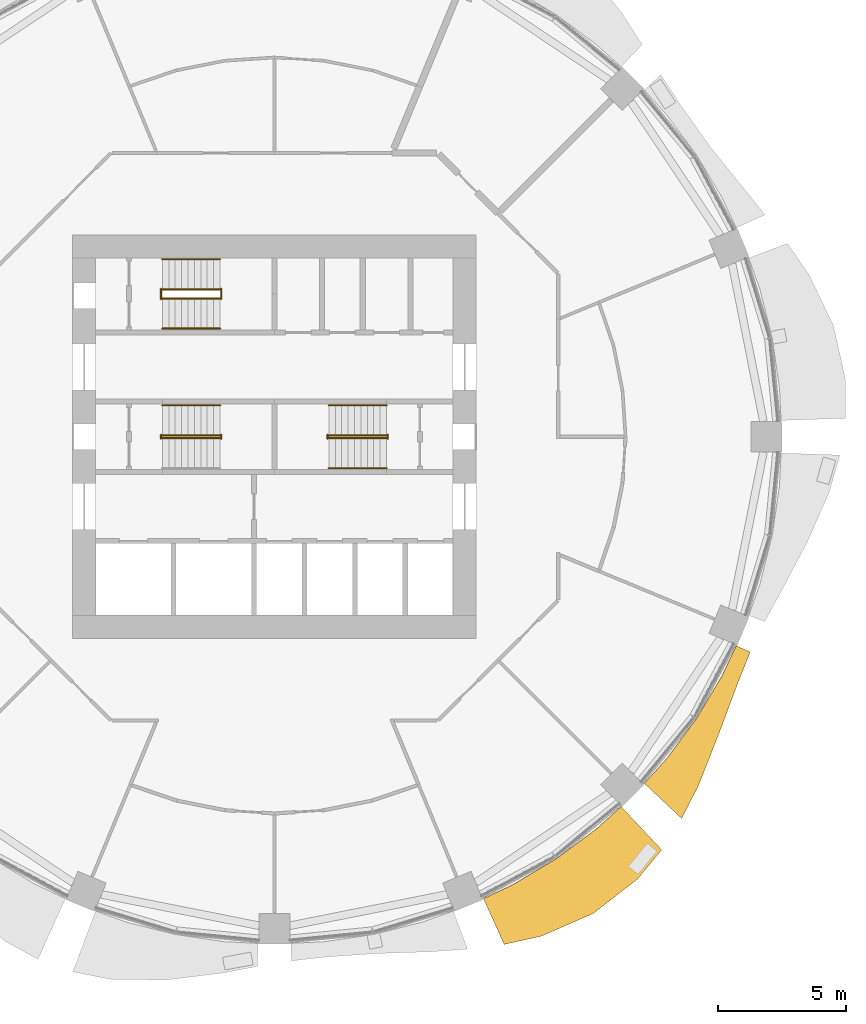
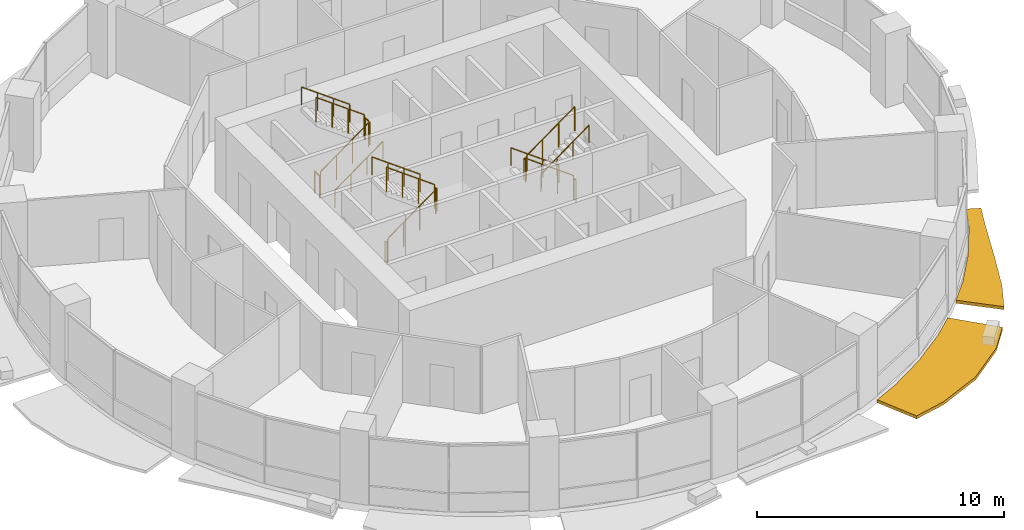
# One storey, part 13 of 15: 17 railings, 2 shading devices.
"""IFC4 building model written with IfcOpenShell, lengths in metres."""

from ifc_helpers import new_model, si_unit, direction, frame, origin, origin_2d, place, context, subcontext, project, spatial, polyline, circle, outline, extrude, material, type_object, element, save


model = new_model("IFC4")

# Units and contexts
model_context = context("Model", 3, precision=1e-05, world=origin(), true_north=direction((0.0, 1.0)))
body_context = subcontext(model_context, "Body", "Model", "MODEL_VIEW")
ifc_project = project(units=[si_unit("LENGTHUNIT", "METRE"), si_unit("AREAUNIT", "SQUARE_METRE"), si_unit("VOLUMEUNIT", "CUBIC_METRE"), si_unit("PLANEANGLEUNIT", "RADIAN"), si_unit("MASSUNIT", "GRAM", prefix="KILO")], contexts=[model_context])

# Site, building, storey
site_placement = place(None, origin())
site = spatial("IfcSite", under=ifc_project, at=site_placement, CompositionType="ELEMENT")
building_placement = place(site_placement, origin())
building = spatial("IfcBuilding", under=site, at=building_placement, Name="Polderwave Tower", CompositionType="ELEMENT")
storey_placement = place(building_placement, frame((0.0, 0.0, 29.85009765625)))
storey = spatial("IfcBuildingStorey", under=building, at=storey_placement, Name="L07", CompositionType="ELEMENT", Elevation=29.85009765625)

# Railings
ifc_material_1 = material(Name="Stainless steel", Category="steel")
railing_type_1 = type_object("IfcRailingType", Name="Stair guard 1100", PredefinedType="GUARDRAIL", material=ifc_material_1)
railing_1_placement = place(storey_placement, frame((-4.3740234375, -0.051025390625, 0.062255859375)))
element("IfcRailing", 1, at=railing_1_placement, inside=storey, type_object=railing_type_1, Name="L07 ST-A stair guard 1", PredefinedType="GUARDRAIL", context=body_context, shape_type="SweptSolid", body=[
    extrude(circle(Radius=0.02392578125, at=origin_2d()), frame((0.0, 0.0, 1.1962890625), z_axis=(0.807673635365, 0.0, 0.58962979804), x_axis=(0.0, 1.0, 0.0)), (0.0, 0.0, 1.0), 2.785888671875),
    extrude(circle(Radius=0.02392578125, at=origin_2d()), origin(), (0.0, 0.0, 1.0), 1.172119140625),
    extrude(circle(Radius=0.02392578125, at=origin_2d()), frame((0.75, 0.0, 0.547607421875)), (0.0, 0.0, 1.0), 1.172119140625),
    extrude(circle(Radius=0.02392578125, at=origin_2d()), frame((1.5, 0.0, 1.094970703125)), (0.0, 0.0, 1.0), 1.172119140625),
    extrude(circle(Radius=0.02392578125, at=origin_2d()), frame((2.25, 0.0, 1.642578125)), (0.0, 0.0, 1.0), 1.172119140625),
])
railing_2_placement = place(storey_placement, frame((-2.073974609375, -0.074951171875, 1.824951171875)))
element("IfcRailing", 2, at=railing_2_placement, inside=storey, type_object=railing_type_1, Name="L07 ST-A stair guard 2", PredefinedType="GUARDRAIL", context=body_context, shape_type="SweptSolid", body=[
    extrude(circle(Radius=0.02392578125, at=origin_2d()), frame((0.0, 0.0, 1.076171875), z_axis=(0.0, 1.0, 0.0), x_axis=(-1.0, 0.0, 0.0)), (0.0, 0.0, 1.0), 0.14990234375),
    extrude(circle(Radius=0.02099609375, at=origin_2d()), origin(), (0.0, 0.0, 1.0), 1.052001953125),
    extrude(circle(Radius=0.02099609375, at=origin_2d()), frame((0.0, 0.14990234375, 0.0)), (0.0, 0.0, 1.0), 1.052001953125),
])
railing_3_placement = place(storey_placement, frame((-2.1240234375, 0.051025390625, 1.88720703125)))
element("IfcRailing", 3, at=railing_3_placement, inside=storey, type_object=railing_type_1, Name="L07 ST-A stair guard 3", PredefinedType="GUARDRAIL", context=body_context, shape_type="SweptSolid", body=[
    extrude(circle(Radius=0.02392578125, at=origin_2d()), frame((0.0, 0.0, 1.1962890625), z_axis=(-0.807673635365, 0.0, 0.58962979804), x_axis=(0.0, -1.0, 0.0)), (0.0, 0.0, 1.0), 2.785888671875),
    extrude(circle(Radius=0.02392578125, at=origin_2d()), origin(), (0.0, 0.0, 1.0), 1.172119140625),
    extrude(circle(Radius=0.02392578125, at=origin_2d()), frame((-0.75, 0.0, 0.547607421875)), (0.0, 0.0, 1.0), 1.172119140625),
    extrude(circle(Radius=0.02392578125, at=origin_2d()), frame((-1.5, 0.0, 1.094970703125)), (0.0, 0.0, 1.0), 1.172119140625),
    extrude(circle(Radius=0.02392578125, at=origin_2d()), frame((-2.25, 0.0, 1.642578125)), (0.0, 0.0, 1.0), 1.172119140625),
])
railing_4_placement = place(storey_placement, frame((-4.424072265625, -0.074951171875, 0.0)))
element("IfcRailing", 4, at=railing_4_placement, inside=storey, type_object=railing_type_1, Name="L07 ST-A stair guard 4", PredefinedType="GUARDRAIL", context=body_context, shape_type="SweptSolid", body=[
    extrude(circle(Radius=0.02392578125, at=origin_2d()), frame((0.0, 0.0, 1.076171875), z_axis=(0.0, 1.0, 0.0), x_axis=(-1.0, 0.0, 0.0)), (0.0, 0.0, 1.0), 0.14990234375),
    extrude(circle(Radius=0.02099609375, at=origin_2d()), origin(), (0.0, 0.0, 1.0), 1.052001953125),
    extrude(circle(Radius=0.02099609375, at=origin_2d()), frame((0.0, 0.14990234375, 0.0)), (0.0, 0.0, 1.0), 1.052001953125),
])
railing_5_placement = place(storey_placement, frame((4.3740234375, 0.051025390625, 0.062255859375)))
element("IfcRailing", 5, at=railing_5_placement, inside=storey, type_object=railing_type_1, Name="L07 ST-B stair guard 1", PredefinedType="GUARDRAIL", context=body_context, shape_type="SweptSolid", body=[
    extrude(circle(Radius=0.02392578125, at=origin_2d()), frame((0.0, 0.0, 1.1962890625), z_axis=(-0.807673635365, 0.0, 0.58962979804), x_axis=(0.0, -1.0, 0.0)), (0.0, 0.0, 1.0), 2.785888671875),
    extrude(circle(Radius=0.02392578125, at=origin_2d()), origin(), (0.0, 0.0, 1.0), 1.172119140625),
    extrude(circle(Radius=0.02392578125, at=origin_2d()), frame((-0.75, 0.0, 0.547607421875)), (0.0, 0.0, 1.0), 1.172119140625),
    extrude(circle(Radius=0.02392578125, at=origin_2d()), frame((-1.5, 0.0, 1.094970703125)), (0.0, 0.0, 1.0), 1.172119140625),
    extrude(circle(Radius=0.02392578125, at=origin_2d()), frame((-2.25, 0.0, 1.642578125)), (0.0, 0.0, 1.0), 1.172119140625),
])
railing_6_placement = place(storey_placement, frame((2.073974609375, 0.074951171875, 1.824951171875)))
element("IfcRailing", 6, at=railing_6_placement, inside=storey, type_object=railing_type_1, Name="L07 ST-B stair guard 2", PredefinedType="GUARDRAIL", context=body_context, shape_type="SweptSolid", body=[
    extrude(circle(Radius=0.02392578125, at=origin_2d()), frame((0.0, 0.0, 1.076171875), z_axis=(0.0, -1.0, 0.0), x_axis=(1.0, 0.0, 0.0)), (0.0, 0.0, 1.0), 0.14990234375),
    extrude(circle(Radius=0.02099609375, at=origin_2d()), origin(), (0.0, 0.0, 1.0), 1.052001953125),
    extrude(circle(Radius=0.02099609375, at=origin_2d()), frame((0.0, -0.14990234375, 0.0)), (0.0, 0.0, 1.0), 1.052001953125),
])
railing_7_placement = place(storey_placement, frame((2.1240234375, -0.051025390625, 1.88720703125)))
element("IfcRailing", 7, at=railing_7_placement, inside=storey, type_object=railing_type_1, Name="L07 ST-B stair guard 3", PredefinedType="GUARDRAIL", context=body_context, shape_type="SweptSolid", body=[
    extrude(circle(Radius=0.02392578125, at=origin_2d()), frame((0.0, 0.0, 1.1962890625), z_axis=(0.807673635365, 0.0, 0.58962979804), x_axis=(0.0, 1.0, 0.0)), (0.0, 0.0, 1.0), 2.785888671875),
    extrude(circle(Radius=0.02392578125, at=origin_2d()), origin(), (0.0, 0.0, 1.0), 1.172119140625),
    extrude(circle(Radius=0.02392578125, at=origin_2d()), frame((0.75, 0.0, 0.547607421875)), (0.0, 0.0, 1.0), 1.172119140625),
    extrude(circle(Radius=0.02392578125, at=origin_2d()), frame((1.5, 0.0, 1.094970703125)), (0.0, 0.0, 1.0), 1.172119140625),
    extrude(circle(Radius=0.02392578125, at=origin_2d()), frame((2.25, 0.0, 1.642578125)), (0.0, 0.0, 1.0), 1.172119140625),
])
railing_8_placement = place(storey_placement, frame((4.424072265625, 0.074951171875, 0.0)))
element("IfcRailing", 8, at=railing_8_placement, inside=storey, type_object=railing_type_1, Name="L07 ST-B stair guard 4", PredefinedType="GUARDRAIL", context=body_context, shape_type="SweptSolid", body=[
    extrude(circle(Radius=0.02392578125, at=origin_2d()), frame((0.0, 0.0, 1.076171875), z_axis=(0.0, -1.0, 0.0), x_axis=(1.0, 0.0, 0.0)), (0.0, 0.0, 1.0), 0.14990234375),
    extrude(circle(Radius=0.02099609375, at=origin_2d()), origin(), (0.0, 0.0, 1.0), 1.052001953125),
    extrude(circle(Radius=0.02099609375, at=origin_2d()), frame((0.0, -0.14990234375, 0.0)), (0.0, 0.0, 1.0), 1.052001953125),
])
railing_9_placement = place(storey_placement, frame((-4.3740234375, 5.39794921875, 0.062255859375)))
element("IfcRailing", 9, at=railing_9_placement, inside=storey, type_object=railing_type_1, Name="L07 ST-C stair guard 1", PredefinedType="GUARDRAIL", context=body_context, shape_type="SweptSolid", body=[
    extrude(circle(Radius=0.02392578125, at=origin_2d()), frame((0.0, 0.0, 1.1962890625), z_axis=(0.807673635365, 0.0, 0.58962979804), x_axis=(0.0, 1.0, 0.0)), (0.0, 0.0, 1.0), 2.785888671875),
    extrude(circle(Radius=0.02392578125, at=origin_2d()), origin(), (0.0, 0.0, 1.0), 1.172119140625),
    extrude(circle(Radius=0.02392578125, at=origin_2d()), frame((0.75, 0.0, 0.547607421875)), (0.0, 0.0, 1.0), 1.172119140625),
    extrude(circle(Radius=0.02392578125, at=origin_2d()), frame((1.5, 0.0, 1.094970703125)), (0.0, 0.0, 1.0), 1.172119140625),
    extrude(circle(Radius=0.02392578125, at=origin_2d()), frame((2.25, 0.0, 1.642578125)), (0.0, 0.0, 1.0), 1.172119140625),
])
railing_10_placement = place(storey_placement, frame((-2.073974609375, 5.3740234375, 1.824951171875)))
element("IfcRailing", 10, at=railing_10_placement, inside=storey, type_object=railing_type_1, Name="L07 ST-C stair guard 2", PredefinedType="GUARDRAIL", context=body_context, shape_type="SweptSolid", body=[
    extrude(circle(Radius=0.02392578125, at=origin_2d()), frame((0.0, 0.0, 1.076171875), z_axis=(0.0, 1.0, 0.0), x_axis=(-1.0, 0.0, 0.0)), (0.0, 0.0, 1.0), 0.39990234375),
    extrude(circle(Radius=0.02099609375, at=origin_2d()), origin(), (0.0, 0.0, 1.0), 1.052001953125),
    extrude(circle(Radius=0.02099609375, at=origin_2d()), frame((0.0, 0.39990234375, 0.0)), (0.0, 0.0, 1.0), 1.052001953125),
])
railing_11_placement = place(storey_placement, frame((-2.1240234375, 5.75, 1.88720703125)))
element("IfcRailing", 11, at=railing_11_placement, inside=storey, type_object=railing_type_1, Name="L07 ST-C stair guard 3", PredefinedType="GUARDRAIL", context=body_context, shape_type="SweptSolid", body=[
    extrude(circle(Radius=0.02392578125, at=origin_2d()), frame((0.0, 0.0, 1.1962890625), z_axis=(-0.807673635365, 0.0, 0.58962979804), x_axis=(0.0, -1.0, 0.0)), (0.0, 0.0, 1.0), 2.785888671875),
    extrude(circle(Radius=0.02392578125, at=origin_2d()), origin(), (0.0, 0.0, 1.0), 1.172119140625),
    extrude(circle(Radius=0.02392578125, at=origin_2d()), frame((-0.75, 0.0, 0.547607421875)), (0.0, 0.0, 1.0), 1.172119140625),
    extrude(circle(Radius=0.02392578125, at=origin_2d()), frame((-1.5, 0.0, 1.094970703125)), (0.0, 0.0, 1.0), 1.172119140625),
    extrude(circle(Radius=0.02392578125, at=origin_2d()), frame((-2.25, 0.0, 1.642578125)), (0.0, 0.0, 1.0), 1.172119140625),
])
railing_12_placement = place(storey_placement, frame((-4.424072265625, 5.3740234375, 0.0)))
element("IfcRailing", 12, at=railing_12_placement, inside=storey, type_object=railing_type_1, Name="L07 ST-C stair guard 4", PredefinedType="GUARDRAIL", context=body_context, shape_type="SweptSolid", body=[
    extrude(circle(Radius=0.02392578125, at=origin_2d()), frame((0.0, 0.0, 1.076171875), z_axis=(0.0, 1.0, 0.0), x_axis=(-1.0, 0.0, 0.0)), (0.0, 0.0, 1.0), 0.39990234375),
    extrude(circle(Radius=0.02099609375, at=origin_2d()), origin(), (0.0, 0.0, 1.0), 1.052001953125),
    extrude(circle(Radius=0.02099609375, at=origin_2d()), frame((0.0, 0.39990234375, 0.0)), (0.0, 0.0, 1.0), 1.052001953125),
])
railing_type_2 = type_object("IfcRailingType", Name="Stair handrail 900", PredefinedType="HANDRAIL", material=ifc_material_1)
for number, where, name in (
    (13, (-2.1240234375, 1.22509765625, 2.00732421875), "L07 ST-A stair handrail 2"),
    (14, (4.3740234375, 1.22509765625, 0.182373046875), "L07 ST-B stair handrail 1"),
):
    element("IfcRailing", number, at=place(storey_placement, frame(where)), inside=storey, type_object=railing_type_2, Name=name, PredefinedType="HANDRAIL", context=body_context, shape_type="SweptSolid", body=[
        extrude(circle(Radius=0.02392578125, at=origin_2d()), frame((0.0, 0.0, 0.8759765625), z_axis=(-0.807673635365, 0.0, 0.58962979804), x_axis=(0.0, -1.0, 0.0)), (0.0, 0.0, 1.0), 2.785888671875),
        extrude(circle(Radius=0.02099609375, at=origin_2d()), origin(), (0.0, 0.0, 1.0), 0.851806640625),
        extrude(circle(Radius=0.02099609375, at=origin_2d()), frame((-0.75, 0.0, 0.547607421875)), (0.0, 0.0, 1.0), 0.851806640625),
        extrude(circle(Radius=0.02099609375, at=origin_2d()), frame((-1.5, 0.0, 1.094970703125)), (0.0, 0.0, 1.0), 0.851806640625),
        extrude(circle(Radius=0.02099609375, at=origin_2d()), frame((-2.25, 0.0, 1.642578125)), (0.0, 0.0, 1.0), 0.851806640625),
    ])
for number, where, name in (
    (15, (2.1240234375, -1.22509765625, 2.00732421875), "L07 ST-B stair handrail 2"),
    (16, (-4.3740234375, 4.22412109375, 0.182373046875), "L07 ST-C stair handrail 1"),
):
    element("IfcRailing", number, at=place(storey_placement, frame(where)), inside=storey, type_object=railing_type_2, Name=name, PredefinedType="HANDRAIL", context=body_context, shape_type="SweptSolid", body=[
        extrude(circle(Radius=0.02392578125, at=origin_2d()), frame((0.0, 0.0, 0.8759765625), z_axis=(0.807673635365, 0.0, 0.58962979804), x_axis=(0.0, 1.0, 0.0)), (0.0, 0.0, 1.0), 2.785888671875),
        extrude(circle(Radius=0.02099609375, at=origin_2d()), origin(), (0.0, 0.0, 1.0), 0.851806640625),
        extrude(circle(Radius=0.02099609375, at=origin_2d()), frame((0.75, 0.0, 0.547607421875)), (0.0, 0.0, 1.0), 0.851806640625),
        extrude(circle(Radius=0.02099609375, at=origin_2d()), frame((1.5, 0.0, 1.094970703125)), (0.0, 0.0, 1.0), 0.851806640625),
        extrude(circle(Radius=0.02099609375, at=origin_2d()), frame((2.25, 0.0, 1.642578125)), (0.0, 0.0, 1.0), 0.851806640625),
    ])
railing_13_placement = place(storey_placement, frame((-2.1240234375, 6.924072265625, 2.00732421875)))
element("IfcRailing", 17, at=railing_13_placement, inside=storey, type_object=railing_type_2, Name="L07 ST-C stair handrail 2", PredefinedType="HANDRAIL", context=body_context, shape_type="SweptSolid", body=[
    extrude(circle(Radius=0.02392578125, at=origin_2d()), frame((0.0, 0.0, 0.8759765625), z_axis=(-0.807673635365, 0.0, 0.58962979804), x_axis=(0.0, -1.0, 0.0)), (0.0, 0.0, 1.0), 2.785888671875),
    extrude(circle(Radius=0.02099609375, at=origin_2d()), origin(), (0.0, 0.0, 1.0), 0.851806640625),
    extrude(circle(Radius=0.02099609375, at=origin_2d()), frame((-0.75, 0.0, 0.547607421875)), (0.0, 0.0, 1.0), 0.851806640625),
    extrude(circle(Radius=0.02099609375, at=origin_2d()), frame((-1.5, 0.0, 1.094970703125)), (0.0, 0.0, 1.0), 0.851806640625),
    extrude(circle(Radius=0.02099609375, at=origin_2d()), frame((-2.25, 0.0, 1.642578125)), (0.0, 0.0, 1.0), 0.851806640625),
])

# Shading devices
ifc_material_2 = material(Name="Terracotta", Category="masonry")
shading_device_type = type_object("IfcShadingDeviceType", Name="Terracotta sunshade band", PredefinedType="USERDEFINED", material=ifc_material_2)
shading_device_1_placement = place(storey_placement, frame((0.0, 0.0, -0.35009765625)))
element("IfcShadingDevice", 18, at=shading_device_1_placement, inside=storey, type_object=shading_device_type, Name="Sunshade band L07 14", ObjectType="SUNSHADE", PredefinedType="USERDEFINED", context=body_context, shape_type="SweptSolid", body=[
    extrude(outline(polyline([(8.154296875, -18.019775390625), (9.333740234375, -17.4619140625), (11.000244140625, -16.463134765625), (12.56103515625, -15.3056640625), (13.527587890625, -14.429443359375), (15.112548828125, -16.1201171875), (14.166259765625, -17.26171875), (12.43212890625, -18.60595703125), (10.415283203125, -19.485595703125), (8.9638671875, -19.808837890625), (8.154296875, -18.019775390625)])), origin(), (0.0, 0.0, 1.0), 0.14990234375),
])
shading_device_2_placement = place(storey_placement, frame((0.0, 0.0, -0.35009765625)))
element("IfcShadingDevice", 19, at=shading_device_2_placement, inside=storey, type_object=shading_device_type, Name="Sunshade band L07 15", ObjectType="SUNSHADE", PredefinedType="USERDEFINED", context=body_context, shape_type="SweptSolid", body=[
    extrude(outline(polyline([(14.429443359375, -13.527587890625), (15.3056640625, -12.56103515625), (16.463134765625, -11.000244140625), (17.4619140625, -9.333740234375), (18.019775390625, -8.154296875), (18.566650390625, -8.401611328125), (18.064453125, -9.655517578125), (17.34375, -11.588623046875), (16.555908203125, -13.587158203125), (15.8896484375, -14.896484375), (14.429443359375, -13.527587890625)])), origin(), (0.0, 0.0, 1.0), 0.14990234375),
])

save(model, "model.ifc")
